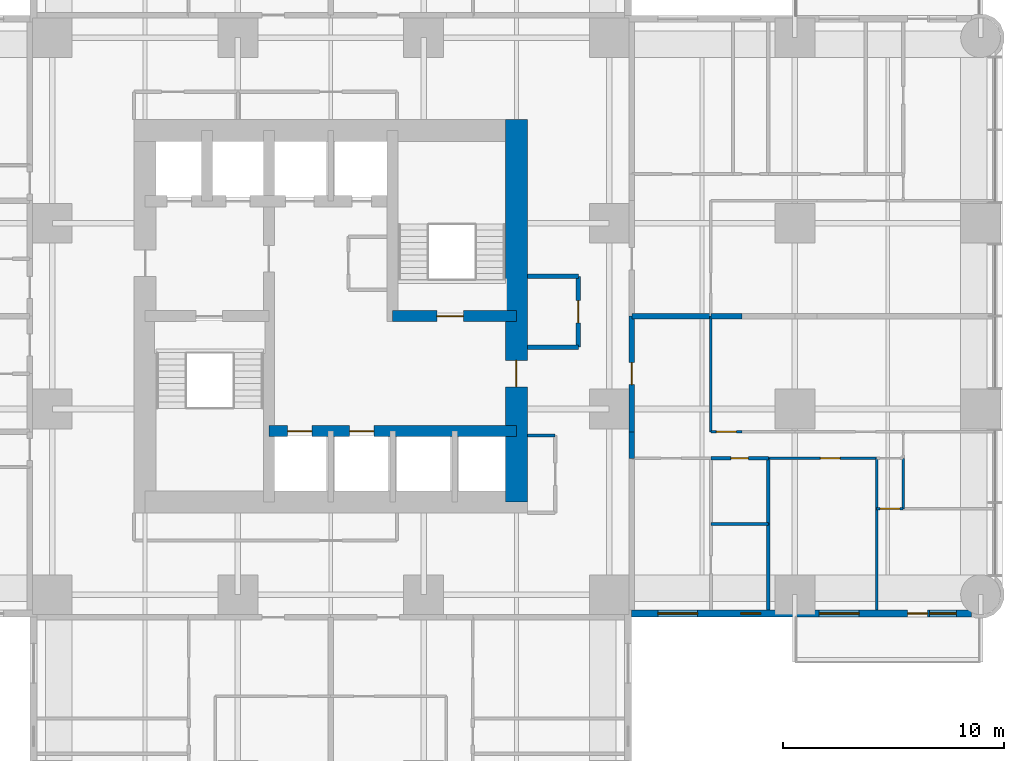
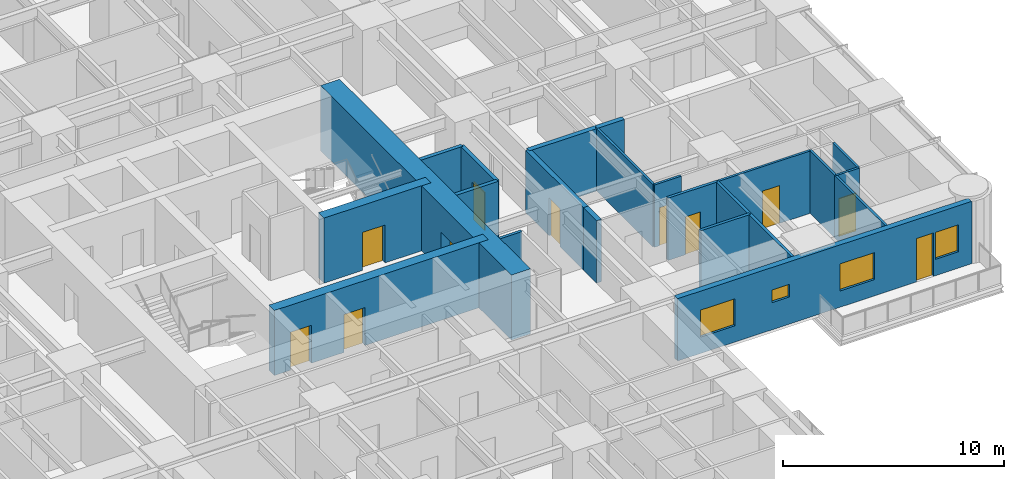
# One storey, part 10 of 17: 23 walls, 11 doors, 4 windows, 15 openings.
"""IFC4 building model written with IfcOpenShell, lengths in metres."""

from ifc_helpers import new_model, si_unit, direction, frame, frame_2d, origin, place, context, subcontext, project, spatial, rectangle, extrude, material, layer, layer_set, type_object, element, fill, save


model = new_model("IFC4")

# Units and contexts
model_context = context("Model", 3, precision=1e-05, world=origin(), true_north=direction((0.0, 1.0)))
body_context = subcontext(model_context, "Body", "Model", "MODEL_VIEW")
ifc_project = project(units=[si_unit("LENGTHUNIT", "METRE"), si_unit("AREAUNIT", "SQUARE_METRE"), si_unit("VOLUMEUNIT", "CUBIC_METRE"), si_unit("PLANEANGLEUNIT", "RADIAN"), si_unit("MASSUNIT", "GRAM", prefix="KILO")], contexts=[model_context])

# Site, building, storey
site_placement = place(None, origin())
site = spatial("IfcSite", under=ifc_project, at=site_placement, CompositionType="ELEMENT")
building_placement = place(site_placement, origin())
building = spatial("IfcBuilding", under=site, at=building_placement, Name="Torre Alcanfor", CompositionType="ELEMENT")
storey_placement = place(building_placement, frame((0.0, 0.0, 74.10009765625)))
storey = spatial("IfcBuildingStorey", under=building, at=storey_placement, Name="L18", CompositionType="ELEMENT", Elevation=74.10009765625)

# Wall, opening, door
ifc_material_1 = material(Name="Concrete block masonry, hollow blocks NMX-C-404 9 MPa", Category="masonry")
ifc_layer_1 = layer(ifc_material_1, 0.25)
ifc_layer_set_1 = layer_set([ifc_layer_1], Name="Apartment entrance wall 250 EI 60")
wall_type_1 = type_object("IfcWallType", Name="Apartment entrance wall 250 EI 60", PredefinedType="PARTITIONING", material=ifc_layer_set_1)
wall_1_placement = place(storey_placement, frame((43.02490234375, 29.39990234375, 0.0), z_axis=(0.0, 0.0, 1.0), x_axis=(0.0, -1.0, 0.0)))
wall_1 = element("IfcWall", 1, at=wall_1_placement, inside=storey, type_object=wall_type_1, Name="Partition L18-CORR / L18-E2-ZAG", PredefinedType="PARTITIONING", context=body_context, shape_type="SweptSolid", body=[
    extrude(rectangle(XDim=5.22900390625, YDim=0.25, at=frame_2d((2.614501953125, 0.0))), origin(), (0.0, 0.0, 1.0), 3.449951171875),
])
opening_1_placement = place(wall_1_placement, frame((2.10009765625, 0.0, 0.0)))
opening_1 = element("IfcOpeningElement", 2, at=opening_1_placement, cuts=wall_1, Name="Opening D-A1", PredefinedType="OPENING", context=body_context, shape_type="SweptSolid", body=[
    extrude(rectangle(XDim=1.0, YDim=2.10009765625, at=frame_2d((0.5, 1.050048828125))), frame((0.0, 0.135009765625, 0.0), z_axis=(0.0, -1.0, 0.0), x_axis=(1.0, 0.0, 0.0)), (0.0, 0.0, 1.0), 0.27001953125),
])
ifc_material_2 = material(Name="Galvanised steel sheet ASTM A653", Category="steel")
door_type_1 = type_object("IfcDoorType", Name="Apartment entrance door FD60 1000x2100", OperationType="SINGLE_SWING_LEFT", PredefinedType="DOOR", material=ifc_material_2)
door_1_placement = place(opening_1_placement, origin())
door_1 = element("IfcDoor", 3, at=door_1_placement, inside=storey, type_object=door_type_1, Name="Apartment entrance L18-E2", OperationType="SINGLE_SWING_LEFT", OverallHeight=2.10009765625, OverallWidth=1.0, PredefinedType="DOOR", context=body_context, shape_type="SweptSolid", body=[
    extrude(rectangle(XDim=1.0, YDim=2.10009765625, at=frame_2d((0.5, 1.050048828125))), frame((0.0, 0.02490234375, 0.0), z_axis=(0.0, -1.0, 0.0), x_axis=(1.0, 0.0, 0.0)), (0.0, 0.0, 1.0), 0.050048828125),
])
fill(opening_1, door_1)

# Walls
wall_2_placement = place(storey_placement, frame((43.02490234375, 24.1708984375, 0.0), z_axis=(0.0, 0.0, 1.0), x_axis=(0.0, -1.0, 0.0)))
element("IfcWall", 4, at=wall_2_placement, inside=storey, type_object=wall_type_1, Name="Partition L18-CORR / L18-E2-HALL", PredefinedType="PARTITIONING", context=body_context, shape_type="SweptSolid", body=[
    extrude(rectangle(XDim=1.199951171875, YDim=0.25, at=frame_2d((0.60009765625, 0.0))), origin(), (0.0, 0.0, 1.0), 3.449951171875),
])
ifc_material_3 = material(Name="Gypsum board on steel studs", Category="steel")
ifc_layer_2 = layer(ifc_material_3, 0.1201171875)
ifc_layer_set_2 = layer_set([ifc_layer_2], Name="Apartment partition 120")
wall_type_2 = type_object("IfcWallType", Name="Apartment partition 120", PredefinedType="PARTITIONING", material=ifc_layer_set_2)
wall_3_placement = place(storey_placement, frame((46.60009765625, 29.39990234375, 0.0), z_axis=(0.0, 0.0, 1.0), x_axis=(0.0, -1.0, 0.0)))
element("IfcWall", 5, at=wall_3_placement, inside=storey, type_object=wall_type_2, Name="Partition L18-E2-ZAG / L18-E2-LAUND", PredefinedType="PARTITIONING", context=body_context, shape_type="SweptSolid", body=[
    extrude(rectangle(XDim=5.22900390625, YDim=0.1201171875, at=frame_2d((2.614501953125, 0.0))), origin(), (0.0, 0.0, 1.0), 3.449951171875),
])

# Wall, opening, door
wall_4_placement = place(storey_placement, frame((48.0, 24.1708984375, 0.0), z_axis=(0.0, 0.0, 1.0), x_axis=(-1.0, 0.0, 0.0)))
wall_4 = element("IfcWall", 6, at=wall_4_placement, inside=storey, type_object=wall_type_2, Name="Partition L18-E2-LAUND / L18-E2-HALL", PredefinedType="PARTITIONING", context=body_context, shape_type="SweptSolid", body=[
    extrude(rectangle(XDim=1.39990234375, YDim=0.1201171875, at=frame_2d((0.699951171875, 0.0))), origin(), (0.0, 0.0, 1.0), 3.449951171875),
])
opening_2_placement = place(wall_4_placement, frame((0.25, 0.0, 0.0)))
opening_2 = element("IfcOpeningElement", 7, at=opening_2_placement, cuts=wall_4, Name="Opening D-R1", PredefinedType="OPENING", context=body_context, shape_type="SweptSolid", body=[
    extrude(rectangle(XDim=0.89990234375, YDim=2.10009765625, at=frame_2d((0.449951171875, 1.050048828125))), frame((0.0, 0.070068359375, 0.0), z_axis=(0.0, -1.0, 0.0), x_axis=(1.0, 0.0, 0.0)), (0.0, 0.0, 1.0), 0.14013671875),
])
ifc_material_4 = material(Name="Timber", Category="wood")
door_type_2 = type_object("IfcDoorType", Name="Internal door 900x2100", OperationType="SINGLE_SWING_LEFT", PredefinedType="DOOR", material=ifc_material_4)
door_2_placement = place(opening_2_placement, frame((0.89990234375, 0.0, 0.0), z_axis=(0.0, 0.0, 1.0), x_axis=(-1.0, 0.0, 0.0)))
door_2 = element("IfcDoor", 8, at=door_2_placement, inside=storey, type_object=door_type_2, Name="Door L18-E2 laund", OperationType="SINGLE_SWING_RIGHT", OverallHeight=2.10009765625, OverallWidth=0.89990234375, PredefinedType="DOOR", context=body_context, shape_type="SweptSolid", body=[
    extrude(rectangle(XDim=0.89990234375, YDim=2.10009765625, at=frame_2d((0.449951171875, 1.050048828125))), frame((0.0, 0.025146484375, 0.0), z_axis=(0.0, -1.0, 0.0), x_axis=(1.0, 0.0, 0.0)), (0.0, 0.0, 1.0), 0.050048828125),
])
fill(opening_2, door_2)

wall_5_placement = place(storey_placement, frame((54.10009765625, 22.970947265625, 0.0), z_axis=(0.0, 0.0, 1.0), x_axis=(-1.0, 0.0, 0.0)))
wall_5 = element("IfcWall", 9, at=wall_5_placement, inside=storey, type_object=wall_type_2, Name="Partition L18-E2-HALL / L18-E2-BED3", PredefinedType="PARTITIONING", context=body_context, shape_type="SweptSolid", body=[
    extrude(rectangle(XDim=4.900146484375, YDim=0.1201171875, at=frame_2d((2.4501953125, 0.0))), origin(), (0.0, 0.0, 1.0), 3.449951171875),
])
opening_3_placement = place(wall_5_placement, frame((1.64990234375, 0.0, 0.0)))
opening_3 = element("IfcOpeningElement", 10, at=opening_3_placement, cuts=wall_5, Name="Opening D-R1", PredefinedType="OPENING", context=body_context, shape_type="SweptSolid", body=[
    extrude(rectangle(XDim=0.89990234375, YDim=2.10009765625, at=frame_2d((0.449951171875, 1.050048828125))), frame((0.0, 0.070068359375, 0.0), z_axis=(0.0, -1.0, 0.0), x_axis=(1.0, 0.0, 0.0)), (0.0, 0.0, 1.0), 0.14013671875),
])
door_3_placement = place(opening_3_placement, origin())
door_3 = element("IfcDoor", 11, at=door_3_placement, inside=storey, type_object=door_type_2, Name="Door L18-E2 bed3", OperationType="SINGLE_SWING_LEFT", OverallHeight=2.10009765625, OverallWidth=0.89990234375, PredefinedType="DOOR", context=body_context, shape_type="SweptSolid", body=[
    extrude(rectangle(XDim=0.89990234375, YDim=2.10009765625, at=frame_2d((0.449951171875, 1.050048828125))), frame((0.0, 0.02490234375, 0.0), z_axis=(0.0, -1.0, 0.0), x_axis=(1.0, 0.0, 0.0)), (0.0, 0.0, 1.0), 0.050048828125),
])
fill(opening_3, door_3)

# Walls
wall_6_placement = place(storey_placement, frame((54.10009765625, 22.970947265625, 0.0), z_axis=(0.0, 0.0, 1.0), x_axis=(0.0, -1.0, 0.0)))
element("IfcWall", 12, at=wall_6_placement, inside=storey, type_object=wall_type_2, Name="Partition L18-E2-BED3 / L18-E2-VEST", PredefinedType="PARTITIONING", context=body_context, shape_type="SweptSolid", body=[
    extrude(rectangle(XDim=2.284912109375, YDim=0.1201171875, at=frame_2d((1.142578125, 0.0))), origin(), (0.0, 0.0, 1.0), 3.449951171875),
])
wall_7_placement = place(storey_placement, frame((54.10009765625, 20.68603515625, 0.0), z_axis=(0.0, 0.0, 1.0), x_axis=(0.0, -1.0, 0.0)))
element("IfcWall", 13, at=wall_7_placement, inside=storey, type_object=wall_type_2, Name="Partition L18-E2-BED3 / L18-E2-MASTER", PredefinedType="PARTITIONING", context=body_context, shape_type="SweptSolid", body=[
    extrude(rectangle(XDim=4.5859375, YDim=0.1201171875, at=frame_2d((2.29296875, 0.0))), origin(), (0.0, 0.0, 1.0), 3.449951171875),
])
wall_8_placement = place(storey_placement, frame((55.300048828125, 22.970947265625, 0.0), z_axis=(0.0, 0.0, 1.0), x_axis=(0.0, -1.0, 0.0)))
element("IfcWall", 14, at=wall_8_placement, inside=storey, type_object=wall_type_2, Name="Partition L18-E2-VEST / L18-E2-BED2", PredefinedType="PARTITIONING", context=body_context, shape_type="SweptSolid", body=[
    extrude(rectangle(XDim=2.284912109375, YDim=0.1201171875, at=frame_2d((1.142578125, 0.0))), origin(), (0.0, 0.0, 1.0), 3.449951171875),
])

# Wall, opening, door
wall_9_placement = place(storey_placement, frame((55.300048828125, 20.68603515625, 0.0), z_axis=(0.0, 0.0, 1.0), x_axis=(-1.0, 0.0, 0.0)))
wall_9 = element("IfcWall", 15, at=wall_9_placement, inside=storey, type_object=wall_type_2, Name="Partition L18-E2-VEST / L18-E2-MASTER", PredefinedType="PARTITIONING", context=body_context, shape_type="SweptSolid", body=[
    extrude(rectangle(XDim=1.199951171875, YDim=0.1201171875, at=frame_2d((0.60009765625, 0.0))), origin(), (0.0, 0.0, 1.0), 3.449951171875),
])
opening_4_placement = place(wall_9_placement, frame((0.14990234375, 0.0, 0.0)))
opening_4 = element("IfcOpeningElement", 16, at=opening_4_placement, cuts=wall_9, Name="Opening D-R1", PredefinedType="OPENING", context=body_context, shape_type="SweptSolid", body=[
    extrude(rectangle(XDim=0.89990234375, YDim=2.10009765625, at=frame_2d((0.449951171875, 1.050048828125))), frame((0.0, 0.070068359375, 0.0), z_axis=(0.0, -1.0, 0.0), x_axis=(1.0, 0.0, 0.0)), (0.0, 0.0, 1.0), 0.14013671875),
])
door_4_placement = place(opening_4_placement, frame((0.89990234375, 0.0, 0.0), z_axis=(0.0, 0.0, 1.0), x_axis=(-1.0, 0.0, 0.0)))
door_4 = element("IfcDoor", 17, at=door_4_placement, inside=storey, type_object=door_type_2, Name="Door L18-E2 master", OperationType="SINGLE_SWING_RIGHT", OverallHeight=2.10009765625, OverallWidth=0.89990234375, PredefinedType="DOOR", context=body_context, shape_type="SweptSolid", body=[
    extrude(rectangle(XDim=0.89990234375, YDim=2.10009765625, at=frame_2d((0.449951171875, 1.050048828125))), frame((0.0, 0.025146484375, 0.0), z_axis=(0.0, -1.0, 0.0), x_axis=(1.0, 0.0, 0.0)), (0.0, 0.0, 1.0), 0.050048828125),
])
fill(opening_4, door_4)

# Wall, openings, doors
ifc_material_5 = material(Name="Concrete f'c 70 MPa", Category="concrete")
ifc_layer_3 = layer(ifc_material_5, 0.5)
ifc_layer_set_3 = layer_set([ifc_layer_3], Name="Core inner wall 500 f'c70")
wall_type_3 = type_object("IfcWallType", Name="Core inner wall 500 f'c70", PredefinedType="SHEAR", material=ifc_layer_set_3)
wall_10_placement = place(storey_placement, frame((26.60009765625, 24.199951171875, 0.0), z_axis=(0.0, 0.0, 1.0), x_axis=(1.0, 0.0, 0.0)))
wall_10 = element("IfcWall", 18, at=wall_10_placement, inside=storey, type_object=wall_type_3, Name="Core wall Y242 L18", PredefinedType="SHEAR", context=body_context, shape_type="SweptSolid", body=[
    extrude(rectangle(XDim=11.199951171875, YDim=0.5, at=frame_2d((5.60009765625, 0.0))), origin(), (0.0, 0.0, 1.0), 3.599853515625),
])
opening_5_placement = place(wall_10_placement, frame((0.85009765625, 0.0, 0.0)))
opening_5 = element("IfcOpeningElement", 19, at=opening_5_placement, cuts=wall_10, Name="Opening LD1", PredefinedType="OPENING", context=body_context, shape_type="SweptSolid", body=[
    extrude(rectangle(XDim=1.10009765625, YDim=2.10009765625, at=frame_2d((0.550048828125, 1.050048828125))), frame((0.0, 0.260009765625, 0.0), z_axis=(0.0, -1.0, 0.0), x_axis=(1.0, 0.0, 0.0)), (0.0, 0.0, 1.0), 0.52001953125),
])
opening_6_placement = place(wall_10_placement, frame((3.64990234375, 0.0, 0.0)))
opening_6 = element("IfcOpeningElement", 20, at=opening_6_placement, cuts=wall_10, Name="Opening LD1", PredefinedType="OPENING", context=body_context, shape_type="SweptSolid", body=[
    extrude(rectangle(XDim=1.10009765625, YDim=2.10009765625, at=frame_2d((0.550048828125, 1.050048828125))), frame((0.0, 0.260009765625, 0.0), z_axis=(0.0, -1.0, 0.0), x_axis=(1.0, 0.0, 0.0)), (0.0, 0.0, 1.0), 0.52001953125),
])
ifc_material_6 = material(Name="Galvanised steel sheet ASTM A653", Category="steel")
door_type_3 = type_object("IfcDoorType", Name="Lift landing door 1100x2100", OperationType="DOUBLE_DOOR_SLIDING", PredefinedType="DOOR", material=ifc_material_6)
door_5_placement = place(opening_5_placement, origin())
door_5 = element("IfcDoor", 21, at=door_5_placement, inside=storey, type_object=door_type_3, Name="Lift landing door PA1 L18", OperationType="DOUBLE_DOOR_SLIDING", OverallHeight=2.10009765625, OverallWidth=1.10009765625, PredefinedType="DOOR", context=body_context, shape_type="SweptSolid", body=[
    extrude(rectangle(XDim=1.10009765625, YDim=2.10009765625, at=frame_2d((0.550048828125, 1.050048828125))), frame((0.0, 0.02490234375, 0.0), z_axis=(0.0, -1.0, 0.0), x_axis=(1.0, 0.0, 0.0)), (0.0, 0.0, 1.0), 0.050048828125),
])
fill(opening_5, door_5)
door_6_placement = place(opening_6_placement, origin())
door_6 = element("IfcDoor", 22, at=door_6_placement, inside=storey, type_object=door_type_3, Name="Lift landing door PA2 L18", OperationType="DOUBLE_DOOR_SLIDING", OverallHeight=2.10009765625, OverallWidth=1.10009765625, PredefinedType="DOOR", context=body_context, shape_type="SweptSolid", body=[
    extrude(rectangle(XDim=1.10009765625, YDim=2.10009765625, at=frame_2d((0.550048828125, 1.050048828125))), frame((0.0, 0.02490234375, 0.0), z_axis=(0.0, -1.0, 0.0), x_axis=(1.0, 0.0, 0.0)), (0.0, 0.0, 1.0), 0.050048828125),
])
fill(opening_6, door_6)

# Wall, opening, door
wall_11_placement = place(storey_placement, frame((32.199951171875, 29.39990234375, 0.0), z_axis=(0.0, 0.0, 1.0), x_axis=(1.0, 0.0, 0.0)))
wall_11 = element("IfcWall", 23, at=wall_11_placement, inside=storey, type_object=wall_type_3, Name="Core wall Y294E L18", PredefinedType="SHEAR", context=body_context, shape_type="SweptSolid", body=[
    extrude(rectangle(XDim=5.60009765625, YDim=0.5, at=frame_2d((2.800048828125, 0.0))), origin(), (0.0, 0.0, 1.0), 3.599853515625),
])
opening_7_placement = place(wall_11_placement, frame((2.0, 0.0, 0.0)))
opening_7 = element("IfcOpeningElement", 24, at=opening_7_placement, cuts=wall_11, Name="Opening D-S2", PredefinedType="OPENING", context=body_context, shape_type="SweptSolid", body=[
    extrude(rectangle(XDim=1.199951171875, YDim=2.10009765625, at=frame_2d((0.60009765625, 1.050048828125))), frame((0.0, 0.260009765625, 0.0), z_axis=(0.0, -1.0, 0.0), x_axis=(1.0, 0.0, 0.0)), (0.0, 0.0, 1.0), 0.52001953125),
])
ifc_material_7 = material(Name="Galvanised steel sheet ASTM A653", Category="steel")
door_type_4 = type_object("IfcDoorType", Name="Stair enclosure door FD120 1200x2100", OperationType="SINGLE_SWING_LEFT", PredefinedType="DOOR", material=ifc_material_7)
door_7_placement = place(opening_7_placement, origin())
door_7 = element("IfcDoor", 25, at=door_7_placement, inside=storey, type_object=door_type_4, Name="Stair S2 door L18", OperationType="SINGLE_SWING_LEFT", OverallHeight=2.10009765625, OverallWidth=1.199951171875, PredefinedType="DOOR", context=body_context, shape_type="SweptSolid", body=[
    extrude(rectangle(XDim=1.199951171875, YDim=2.10009765625, at=frame_2d((0.60009765625, 1.050048828125))), frame((0.0, 0.02490234375, 0.0), z_axis=(0.0, -1.0, 0.0), x_axis=(1.0, 0.0, 0.0)), (0.0, 0.0, 1.0), 0.050048828125),
])
fill(opening_7, door_7)

ifc_material_8 = material(Name="Concrete f'c 70 MPa", Category="concrete")
ifc_layer_4 = layer(ifc_material_8, 1.0)
ifc_layer_set_4 = layer_set([ifc_layer_4], Name="Core wall 1000 f'c70")
wall_type_4 = type_object("IfcWallType", Name="Core wall 1000 f'c70", PredefinedType="SHEAR", material=ifc_layer_set_4)
wall_12_placement = place(storey_placement, frame((37.800048828125, 21.0, 0.0), z_axis=(0.0, 0.0, 1.0), x_axis=(0.0, 1.0, 0.0)))
wall_12 = element("IfcWall", 26, at=wall_12_placement, inside=storey, type_object=wall_type_4, Name="Core wall OUT-E L18", PredefinedType="SHEAR", context=body_context, shape_type="SweptSolid", body=[
    extrude(rectangle(XDim=17.300048828125, YDim=1.0, at=frame_2d((8.64990234375, 0.0))), origin(), (0.0, 0.0, 1.0), 3.599853515625),
])
opening_8_placement = place(wall_12_placement, frame((5.199951171875, 0.0, 0.0)))
opening_8 = element("IfcOpeningElement", 27, at=opening_8_placement, cuts=wall_12, Name="Opening D-L1", PredefinedType="OPENING", context=body_context, shape_type="SweptSolid", body=[
    extrude(rectangle(XDim=1.199951171875, YDim=2.10009765625, at=frame_2d((0.60009765625, 1.050048828125))), frame((0.0, 0.510009765625, 0.0), z_axis=(0.0, -1.0, 0.0), x_axis=(1.0, 0.0, 0.0)), (0.0, 0.0, 1.0), 1.02001953125),
])
ifc_material_9 = material(Name="Galvanised steel sheet ASTM A653", Category="steel")
door_type_5 = type_object("IfcDoorType", Name="Lobby door FD120 1200x2100", OperationType="SINGLE_SWING_LEFT", PredefinedType="DOOR", material=ifc_material_9)
door_8_placement = place(opening_8_placement, origin())
door_8 = element("IfcDoor", 28, at=door_8_placement, inside=storey, type_object=door_type_5, Name="Lift lobby entrance door L18", OperationType="SINGLE_SWING_LEFT", OverallHeight=2.10009765625, OverallWidth=1.199951171875, PredefinedType="DOOR", context=body_context, shape_type="SweptSolid", body=[
    extrude(rectangle(XDim=1.199951171875, YDim=2.10009765625, at=frame_2d((0.60009765625, 1.050048828125))), frame((0.0, 0.02490234375, 0.0), z_axis=(0.0, -1.0, 0.0), x_axis=(1.0, 0.0, 0.0)), (0.0, 0.0, 1.0), 0.050048828125),
])
fill(opening_8, door_8)

# Wall, openings, door, windows
ifc_material_10 = material(Name="Limestone cladding", Category="masonry")
ifc_layer_5 = layer(ifc_material_10, 0.0400390625, Name="Facing")
ifc_material_11 = material(Name="Ventilated air cavity")
ifc_layer_6 = layer(ifc_material_11, 0.02001953125, ventilated=True, Name="Ventilated joint")
ifc_material_12 = material(Name="Mineral wool insulation", Category="insulation")
ifc_layer_7 = layer(ifc_material_12, 0.10009765625, Name="Insulation")
ifc_material_13 = material(Name="Concrete f'c 35 MPa", Category="concrete")
ifc_layer_8 = layer(ifc_material_13, 0.139892578125, Name="Backing")
ifc_layer_set_5 = layer_set([ifc_layer_5, ifc_layer_6, ifc_layer_7, ifc_layer_8], Name="External wall stone-clad 300")
wall_type_5 = type_object("IfcWallType", Name="External wall stone-clad 300", PredefinedType="SOLIDWALL", material=ifc_layer_set_5)
wall_13_placement = place(storey_placement, frame((43.0, 15.949951171875, 0.0), z_axis=(0.0, 0.0, 1.0), x_axis=(1.0, 0.0, 0.0)))
wall_13 = element("IfcWall", 29, at=wall_13_placement, inside=storey, type_object=wall_type_5, Name="External wall L18 7", PredefinedType="SOLIDWALL", context=body_context, shape_type="SweptSolid", body=[
    extrude(rectangle(XDim=15.39990234375, YDim=0.300048828125, at=frame_2d((7.699951171875, 0.0))), origin(), (0.0, 0.0, 1.0), 3.449951171875),
])
opening_9_placement = place(wall_13_placement, frame((1.199951171875, 0.0, 0.89990234375)))
opening_9 = element("IfcOpeningElement", 30, at=opening_9_placement, cuts=wall_13, Name="Opening W2", PredefinedType="OPENING", context=body_context, shape_type="SweptSolid", body=[
    extrude(rectangle(XDim=1.800048828125, YDim=1.5, at=frame_2d((0.89990234375, 0.75))), frame((0.0, 0.159912109375, 0.0), z_axis=(0.0, -1.0, 0.0), x_axis=(1.0, 0.0, 0.0)), (0.0, 0.0, 1.0), 0.320068359375),
])
opening_10_placement = place(wall_13_placement, frame((4.949951171875, 0.0, 1.5)))
opening_10 = element("IfcOpeningElement", 31, at=opening_10_placement, cuts=wall_13, Name="Opening W3", PredefinedType="OPENING", context=body_context, shape_type="SweptSolid", body=[
    extrude(rectangle(XDim=0.89990234375, YDim=0.699951171875, at=frame_2d((0.449951171875, 0.35009765625))), frame((0.0, 0.159912109375, 0.0), z_axis=(0.0, -1.0, 0.0), x_axis=(1.0, 0.0, 0.0)), (0.0, 0.0, 1.0), 0.320068359375),
])
opening_11_placement = place(wall_13_placement, frame((8.5, 0.0, 0.89990234375)))
opening_11 = element("IfcOpeningElement", 32, at=opening_11_placement, cuts=wall_13, Name="Opening W2", PredefinedType="OPENING", context=body_context, shape_type="SweptSolid", body=[
    extrude(rectangle(XDim=1.800048828125, YDim=1.5, at=frame_2d((0.89990234375, 0.75))), frame((0.0, 0.159912109375, 0.0), z_axis=(0.0, -1.0, 0.0), x_axis=(1.0, 0.0, 0.0)), (0.0, 0.0, 1.0), 0.320068359375),
])
opening_12_placement = place(wall_13_placement, frame((12.5, 0.0, 0.0)))
opening_12 = element("IfcOpeningElement", 33, at=opening_12_placement, cuts=wall_13, Name="Opening D-B1", PredefinedType="OPENING", context=body_context, shape_type="SweptSolid", body=[
    extrude(rectangle(XDim=0.89990234375, YDim=2.39990234375, at=frame_2d((0.449951171875, 1.199951171875))), frame((0.0, 0.159912109375, 0.0), z_axis=(0.0, -1.0, 0.0), x_axis=(1.0, 0.0, 0.0)), (0.0, 0.0, 1.0), 0.320068359375),
])
opening_13_placement = place(wall_13_placement, frame((13.5, 0.0, 0.89990234375)))
opening_13 = element("IfcOpeningElement", 34, at=opening_13_placement, cuts=wall_13, Name="Opening W4", PredefinedType="OPENING", context=body_context, shape_type="SweptSolid", body=[
    extrude(rectangle(XDim=1.199951171875, YDim=1.5, at=frame_2d((0.60009765625, 0.75))), frame((0.0, 0.159912109375, 0.0), z_axis=(0.0, -1.0, 0.0), x_axis=(1.0, 0.0, 0.0)), (0.0, 0.0, 1.0), 0.320068359375),
])
ifc_material_14 = material(Name="Aluminium and glass", Category="aluminium")
door_type_6 = type_object("IfcDoorType", Name="Balcony door glazed 900x2400", OperationType="SINGLE_SWING_LEFT", PredefinedType="DOOR", material=ifc_material_14)
door_9_placement = place(opening_12_placement, origin())
door_9 = element("IfcDoor", 35, at=door_9_placement, inside=storey, type_object=door_type_6, Name="Balcony door L18-E2", OperationType="SINGLE_SWING_LEFT", OverallHeight=2.39990234375, OverallWidth=0.89990234375, PredefinedType="DOOR", context=body_context, shape_type="SweptSolid", body=[
    extrude(rectangle(XDim=0.89990234375, YDim=2.39990234375, at=frame_2d((0.449951171875, 1.199951171875))), frame((0.0, 0.02490234375, 0.0), z_axis=(0.0, -1.0, 0.0), x_axis=(1.0, 0.0, 0.0)), (0.0, 0.0, 1.0), 0.050048828125),
])
fill(opening_12, door_9)
ifc_material_15 = material(Name="Aluminium frame with clear double glazing", Category="aluminium")
window_type_1 = type_object("IfcWindowType", Name="Window bathroom 900x700", PartitioningType="SINGLE_PANEL", PredefinedType="WINDOW", material=ifc_material_15)
window_1_placement = place(opening_10_placement, origin())
window_1 = element("IfcWindow", 36, at=window_1_placement, inside=storey, type_object=window_type_1, Name="Window W3 L18-E2", OverallHeight=0.699951171875, OverallWidth=0.89990234375, PartitioningType="SINGLE_PANEL", PredefinedType="WINDOW", context=body_context, shape_type="SweptSolid", body=[
    extrude(rectangle(XDim=0.89990234375, YDim=0.699951171875, at=frame_2d((0.449951171875, 0.35009765625))), frame((0.0, 0.030029296875, 0.0), z_axis=(0.0, -1.0, 0.0), x_axis=(1.0, 0.0, 0.0)), (0.0, 0.0, 1.0), 0.06005859375),
])
fill(opening_10, window_1)
ifc_material_16 = material(Name="Aluminium frame with clear double glazing", Category="aluminium")
window_type_2 = type_object("IfcWindowType", Name="Window bedroom 1200x1500", PartitioningType="SINGLE_PANEL", PredefinedType="WINDOW", material=ifc_material_16)
window_2_placement = place(opening_13_placement, origin())
window_2 = element("IfcWindow", 37, at=window_2_placement, inside=storey, type_object=window_type_2, Name="Window W4 L18-E2", OverallHeight=1.5, OverallWidth=1.199951171875, PartitioningType="SINGLE_PANEL", PredefinedType="WINDOW", context=body_context, shape_type="SweptSolid", body=[
    extrude(rectangle(XDim=1.199951171875, YDim=1.5, at=frame_2d((0.60009765625, 0.75))), frame((0.0, 0.030029296875, 0.0), z_axis=(0.0, -1.0, 0.0), x_axis=(1.0, 0.0, 0.0)), (0.0, 0.0, 1.0), 0.06005859375),
])
fill(opening_13, window_2)
ifc_material_17 = material(Name="Aluminium frame with clear double glazing", Category="aluminium")
window_type_3 = type_object("IfcWindowType", Name="Window bedroom 1800x1500", PartitioningType="SINGLE_PANEL", PredefinedType="WINDOW", material=ifc_material_17)
window_3_placement = place(opening_9_placement, origin())
window_3 = element("IfcWindow", 38, at=window_3_placement, inside=storey, type_object=window_type_3, Name="Window W2 L18-E2", OverallHeight=1.5, OverallWidth=1.800048828125, PartitioningType="SINGLE_PANEL", PredefinedType="WINDOW", context=body_context, shape_type="SweptSolid", body=[
    extrude(rectangle(XDim=1.800048828125, YDim=1.5, at=frame_2d((0.89990234375, 0.75))), frame((0.0, 0.030029296875, 0.0), z_axis=(0.0, -1.0, 0.0), x_axis=(1.0, 0.0, 0.0)), (0.0, 0.0, 1.0), 0.06005859375),
])
fill(opening_9, window_3)
window_4_placement = place(opening_11_placement, origin())
window_4 = element("IfcWindow", 39, at=window_4_placement, inside=storey, type_object=window_type_3, Name="Window W2 L18-E2", OverallHeight=1.5, OverallWidth=1.800048828125, PartitioningType="SINGLE_PANEL", PredefinedType="WINDOW", context=body_context, shape_type="SweptSolid", body=[
    extrude(rectangle(XDim=1.800048828125, YDim=1.5, at=frame_2d((0.89990234375, 0.75))), frame((0.0, 0.030029296875, 0.0), z_axis=(0.0, -1.0, 0.0), x_axis=(1.0, 0.0, 0.0)), (0.0, 0.0, 1.0), 0.06005859375),
])
fill(opening_11, window_4)

# Walls
ifc_material_18 = material(Name="Concrete block masonry, hollow blocks NMX-C-404 9 MPa", Category="masonry")
ifc_layer_9 = layer(ifc_material_18, 0.25)
ifc_layer_set_6 = layer_set([ifc_layer_9], Name="Party wall 250 EI 60")
wall_type_6 = type_object("IfcWallType", Name="Party wall 250 EI 60", PredefinedType="PARTITIONING", material=ifc_layer_set_6)
wall_14_placement = place(storey_placement, frame((43.02490234375, 29.39990234375, 0.0), z_axis=(0.0, 0.0, 1.0), x_axis=(1.0, 0.0, 0.0)))
element("IfcWall", 40, at=wall_14_placement, inside=storey, type_object=wall_type_6, Name="Partition L18-E1-ZAG / L18-E2-ZAG", PredefinedType="PARTITIONING", context=body_context, shape_type="SweptSolid", body=[
    extrude(rectangle(XDim=3.5751953125, YDim=0.25, at=frame_2d((1.78759765625, 0.0))), origin(), (0.0, 0.0, 1.0), 3.449951171875),
])
wall_15_placement = place(storey_placement, frame((46.60009765625, 29.39990234375, 0.0), z_axis=(0.0, 0.0, 1.0), x_axis=(1.0, 0.0, 0.0)))
element("IfcWall", 41, at=wall_15_placement, inside=storey, type_object=wall_type_6, Name="Partition L18-E1-KITCHEN / L18-E2-LAUND", PredefinedType="PARTITIONING", context=body_context, shape_type="SweptSolid", body=[
    extrude(rectangle(XDim=1.39990234375, YDim=0.25, at=frame_2d((0.699951171875, 0.0))), origin(), (0.0, 0.0, 1.0), 3.449951171875),
])
ifc_material_19 = material(Name="Concrete block masonry, hollow blocks NMX-C-404 9 MPa", Category="masonry")
ifc_layer_10 = layer(ifc_material_19, 0.199951171875)
ifc_layer_set_7 = layer_set([ifc_layer_10], Name="Plant room wall 200 EI 60")
wall_type_7 = type_object("IfcWallType", Name="Plant room wall 200 EI 60", PredefinedType="PARTITIONING", material=ifc_layer_set_7)
wall_16_placement = place(storey_placement, frame((38.300048828125, 28.0, 0.0), z_axis=(0.0, 0.0, 1.0), x_axis=(1.0, 0.0, 0.0)))
element("IfcWall", 42, at=wall_16_placement, inside=storey, type_object=wall_type_7, Name="Partition L18-CORR / L18-G04", PredefinedType="PARTITIONING", context=body_context, shape_type="SweptSolid", body=[
    extrude(rectangle(XDim=2.300048828125, YDim=0.199951171875, at=frame_2d((1.14990234375, 0.0))), origin(), (0.0, 0.0, 1.0), 3.449951171875),
])

# Wall, opening, door
wall_17_placement = place(storey_placement, frame((40.60009765625, 28.0, 0.0), z_axis=(0.0, 0.0, 1.0), x_axis=(0.0, 1.0, 0.0)))
wall_17 = element("IfcWall", 43, at=wall_17_placement, inside=storey, type_object=wall_type_7, Name="Partition L18-CORR / L18-G04", PredefinedType="PARTITIONING", context=body_context, shape_type="SweptSolid", body=[
    extrude(rectangle(XDim=3.199951171875, YDim=0.199951171875, at=frame_2d((1.60009765625, 0.0))), origin(), (0.0, 0.0, 1.0), 3.449951171875),
])
opening_14_placement = place(wall_17_placement, frame((1.10009765625, 0.0, 0.0)))
opening_14 = element("IfcOpeningElement", 44, at=opening_14_placement, cuts=wall_17, Name="Opening D-K1", PredefinedType="OPENING", context=body_context, shape_type="SweptSolid", body=[
    extrude(rectangle(XDim=1.0, YDim=2.10009765625, at=frame_2d((0.5, 1.050048828125))), frame((0.0, 0.10986328125, 0.0), z_axis=(0.0, -1.0, 0.0), x_axis=(1.0, 0.0, 0.0)), (0.0, 0.0, 1.0), 0.219970703125),
])
ifc_material_20 = material(Name="Galvanised steel sheet ASTM A653", Category="steel")
door_type_7 = type_object("IfcDoorType", Name="Core room door FD60 1000x2100", OperationType="SINGLE_SWING_LEFT", PredefinedType="DOOR", material=ifc_material_20)
door_10_placement = place(opening_14_placement, origin())
door_10 = element("IfcDoor", 45, at=door_10_placement, inside=storey, type_object=door_type_7, Name="Door L18-G04 refuse and recycling store", OperationType="SINGLE_SWING_LEFT", OverallHeight=2.10009765625, OverallWidth=1.0, PredefinedType="DOOR", context=body_context, shape_type="SweptSolid", body=[
    extrude(rectangle(XDim=1.0, YDim=2.10009765625, at=frame_2d((0.5, 1.050048828125))), frame((0.0, 0.02490234375, 0.0), z_axis=(0.0, -1.0, 0.0), x_axis=(1.0, 0.0, 0.0)), (0.0, 0.0, 1.0), 0.050048828125),
])
fill(opening_14, door_10)

# Walls
wall_18_placement = place(storey_placement, frame((40.60009765625, 31.199951171875, 0.0), z_axis=(0.0, 0.0, 1.0), x_axis=(-1.0, 0.0, 0.0)))
element("IfcWall", 46, at=wall_18_placement, inside=storey, type_object=wall_type_7, Name="Partition L18-CORR / L18-G04", PredefinedType="PARTITIONING", context=body_context, shape_type="SweptSolid", body=[
    extrude(rectangle(XDim=2.300048828125, YDim=0.199951171875, at=frame_2d((1.14990234375, 0.0))), origin(), (0.0, 0.0, 1.0), 3.449951171875),
])
ifc_material_21 = material(Name="Concrete block masonry, hollow blocks NMX-C-404 9 MPa", Category="masonry")
ifc_layer_11 = layer(ifc_material_21, 0.14990234375)
ifc_layer_set_8 = layer_set([ifc_layer_11], Name="Residents' room partition 150")
wall_type_8 = type_object("IfcWallType", Name="Residents' room partition 150", PredefinedType="PARTITIONING", material=ifc_layer_set_8)
wall_19_placement = place(storey_placement, frame((39.550048828125, 24.0, 0.0), z_axis=(0.0, 0.0, 1.0), x_axis=(-1.0, 0.0, 0.0)))
element("IfcWall", 47, at=wall_19_placement, inside=storey, type_object=wall_type_8, Name="Partition L18-CORR / L18-G03", PredefinedType="PARTITIONING", context=body_context, shape_type="SweptSolid", body=[
    extrude(rectangle(XDim=1.25, YDim=0.14990234375, at=frame_2d((0.625, 0.0))), origin(), (0.0, 0.0, 1.0), 3.449951171875),
])

# Wall, opening, door
ifc_material_22 = material(Name="Cement board on steel studs", Category="steel")
ifc_layer_12 = layer(ifc_material_22, 0.14990234375)
ifc_layer_set_9 = layer_set([ifc_layer_12], Name="Wet area partition 150")
wall_type_9 = type_object("IfcWallType", Name="Wet area partition 150", PredefinedType="PARTITIONING", material=ifc_layer_set_9)
wall_20_placement = place(storey_placement, frame((49.199951171875, 22.970947265625, 0.0), z_axis=(0.0, 0.0, 1.0), x_axis=(-1.0, 0.0, 0.0)))
wall_20 = element("IfcWall", 48, at=wall_20_placement, inside=storey, type_object=wall_type_9, Name="Partition L18-E2-HALL / L18-E2-BATH1", PredefinedType="PARTITIONING", context=body_context, shape_type="SweptSolid", body=[
    extrude(rectangle(XDim=2.599853515625, YDim=0.14990234375, at=frame_2d((1.2998046875, 0.0))), origin(), (0.0, 0.0, 1.0), 3.449951171875),
])
opening_15_placement = place(wall_20_placement, frame((0.89990234375, 0.0, 0.0)))
opening_15 = element("IfcOpeningElement", 49, at=opening_15_placement, cuts=wall_20, Name="Opening D-R2", PredefinedType="OPENING", context=body_context, shape_type="SweptSolid", body=[
    extrude(rectangle(XDim=0.800048828125, YDim=2.10009765625, at=frame_2d((0.39990234375, 1.050048828125))), frame((0.0, 0.0849609375, 0.0), z_axis=(0.0, -1.0, 0.0), x_axis=(1.0, 0.0, 0.0)), (0.0, 0.0, 1.0), 0.169921875),
])
ifc_material_23 = material(Name="Timber", Category="wood")
door_type_8 = type_object("IfcDoorType", Name="Bathroom door 800x2100", OperationType="SINGLE_SWING_LEFT", PredefinedType="DOOR", material=ifc_material_23)
door_11_placement = place(opening_15_placement, origin())
door_11 = element("IfcDoor", 50, at=door_11_placement, inside=storey, type_object=door_type_8, Name="Door L18-E2 bath1", OperationType="SINGLE_SWING_LEFT", OverallHeight=2.10009765625, OverallWidth=0.800048828125, PredefinedType="DOOR", context=body_context, shape_type="SweptSolid", body=[
    extrude(rectangle(XDim=0.800048828125, YDim=2.10009765625, at=frame_2d((0.39990234375, 1.050048828125))), frame((0.0, 0.02490234375, 0.0), z_axis=(0.0, -1.0, 0.0), x_axis=(1.0, 0.0, 0.0)), (0.0, 0.0, 1.0), 0.050048828125),
])
fill(opening_15, door_11)

# Walls
wall_21_placement = place(storey_placement, frame((49.199951171875, 20.0, 0.0), z_axis=(0.0, 0.0, 1.0), x_axis=(-1.0, 0.0, 0.0)))
element("IfcWall", 51, at=wall_21_placement, inside=storey, type_object=wall_type_9, Name="Partition L18-E2-BATH1 / L18-E2-SBATH", PredefinedType="PARTITIONING", context=body_context, shape_type="SweptSolid", body=[
    extrude(rectangle(XDim=2.599853515625, YDim=0.14990234375, at=frame_2d((1.2998046875, 0.0))), origin(), (0.0, 0.0, 1.0), 3.449951171875),
])
wall_22_placement = place(storey_placement, frame((49.199951171875, 22.970947265625, 0.0), z_axis=(0.0, 0.0, 1.0), x_axis=(0.0, -1.0, 0.0)))
element("IfcWall", 52, at=wall_22_placement, inside=storey, type_object=wall_type_9, Name="Partition L18-E2-BATH1 / L18-E2-BED3", PredefinedType="PARTITIONING", context=body_context, shape_type="SweptSolid", body=[
    extrude(rectangle(XDim=2.970947265625, YDim=0.14990234375, at=frame_2d((1.4853515625, 0.0))), origin(), (0.0, 0.0, 1.0), 3.449951171875),
])
wall_23_placement = place(storey_placement, frame((49.199951171875, 20.0, 0.0), z_axis=(0.0, 0.0, 1.0), x_axis=(0.0, -1.0, 0.0)))
element("IfcWall", 53, at=wall_23_placement, inside=storey, type_object=wall_type_9, Name="Partition L18-E2-SBATH / L18-E2-BED3", PredefinedType="PARTITIONING", context=body_context, shape_type="SweptSolid", body=[
    extrude(rectangle(XDim=3.89990234375, YDim=0.14990234375, at=frame_2d((1.949951171875, 0.0))), origin(), (0.0, 0.0, 1.0), 3.449951171875),
])

save(model, "model.ifc")
